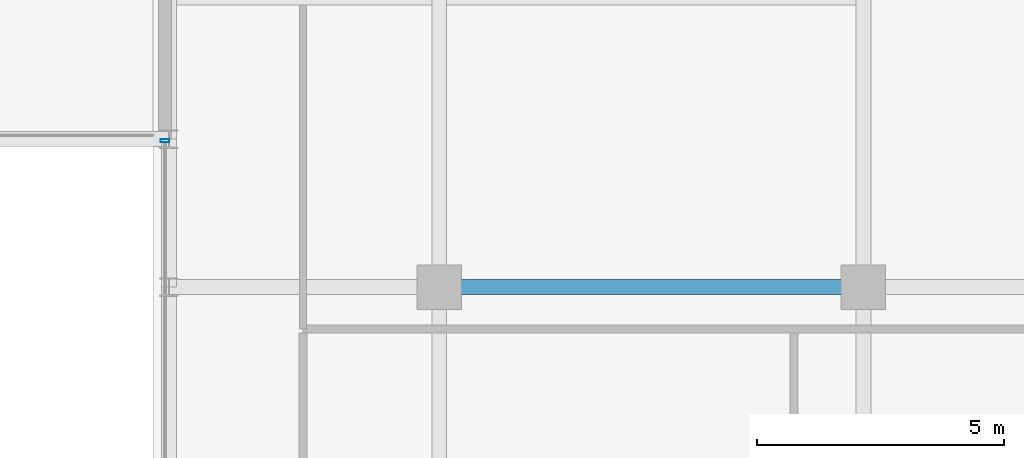
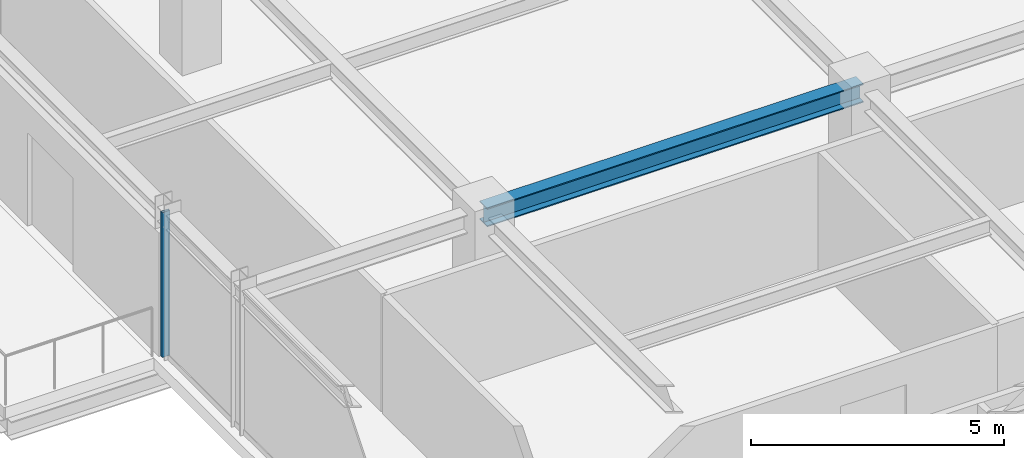
# One storey, part 10 of 36: 1 beam, 1 member, 1 element without a shape of its own.
"""IFC4 building model written with IfcOpenShell, lengths in metres."""

from ifc_helpers import new_model, si_unit, direction, frame, origin, origin_2d, place, context, subcontext, project, spatial, hollow_rectangle, i_section, extrude, source, transform, mapped, material, material_profile, profile_set, type_object, element, aggregate, save


model = new_model("IFC4")

# Units and contexts
model_context = context("Model", 3, precision=1e-05, world=origin(), true_north=direction((0.0, 1.0)))
body_context = subcontext(model_context, "Body", "Model", "MODEL_VIEW")
ifc_project = project(units=[si_unit("LENGTHUNIT", "METRE"), si_unit("AREAUNIT", "SQUARE_METRE"), si_unit("VOLUMEUNIT", "CUBIC_METRE"), si_unit("PLANEANGLEUNIT", "RADIAN"), si_unit("MASSUNIT", "GRAM", prefix="KILO")], contexts=[model_context])

# Site, building, storey
site_placement = place(None, origin())
site = spatial("IfcSite", under=ifc_project, at=site_placement, CompositionType="ELEMENT")
building_placement = place(site_placement, origin())
building = spatial("IfcBuilding", under=site, at=building_placement, Name="Nahalor Promenade Grand Hotel", CompositionType="ELEMENT")
storey_placement = place(building_placement, frame((0.0, 0.0, 319.550048828125)))
storey = spatial("IfcBuildingStorey", under=building, at=storey_placement, Name="L82", CompositionType="ELEMENT", Elevation=319.550048828125)

# Beam
ifc_material_1 = material(Name="Steel S355JR", Category="steel")
ifc_material_profile_1 = material_profile(ifc_material_1, i_section(OverallWidth=0.3, OverallDepth=0.45, WebThickness=0.014, FlangeThickness=0.026, at=origin_2d()), Name="HEB 450")
ifc_profile_set_1 = profile_set([ifc_material_profile_1], Name="Steel S355JR")
beam_type = type_object("IfcBeamType", Name="Beam-Girder-HEB450", PredefinedType="BEAM", material=ifc_profile_set_1)
shared_shape_1 = source(origin(), body_context, "Body", "SweptSolid", [
    extrude(i_section(OverallWidth=0.3, OverallDepth=0.45, WebThickness=0.014, FlangeThickness=0.026, at=origin_2d()), origin(), (0.0, 0.0, 1.0), 8.60009765625),
])
beam_placement = place(storey_placement, frame((-17.0, 5.39990234375, 3.27490234375), z_axis=(1.0, 0.0, 0.0), x_axis=(0.0, 1.0, 0.0)))
element("IfcBeam", 1, at=beam_placement, inside=storey, type_object=beam_type, Name="BM-L82-GX-2-1", PredefinedType="BEAM", context=body_context, shape_type="MappedRepresentation", body=[
    mapped(shared_shape_1, transform((0.0, 0.0, 0.0), scale=1.0)),
])

# Curtain wall, member
ifc_material_2 = material(Name="Anodised Bronze Aluminium EN AW-6063 T6", Category="aluminium")
curtain_wall_type = type_object("IfcCurtainWallType", Name="CW2 Typical Hotel Flush Bronze Unitised Curtain Wall", PredefinedType="USERDEFINED", material=ifc_material_2)
curtain_wall_placement = place(storey_placement, origin())
curtain_wall = element("IfcCurtainWall", 2, at=curtain_wall_placement, inside=storey, type_object=curtain_wall_type, Name="L82 Curtain Wall CW-L82-W-1", ObjectType="UNITISED_CURTAIN_WALL", PredefinedType="USERDEFINED")
ifc_material_profile_2 = material_profile(ifc_material_2, hollow_rectangle(XDim=0.065, YDim=0.18, WallThickness=0.004, at=origin_2d()), Name="CWM 65x180x4")
ifc_profile_set_2 = profile_set([ifc_material_profile_2], Name="Anodised Bronze Aluminium EN AW-6063 T6")
member_type = type_object("IfcMemberType", Name="CWM2 Typical Bronze Mullion 65x180", PredefinedType="MULLION", material=ifc_profile_set_2)
shared_shape_2 = source(origin(), body_context, "Body", "SweptSolid", [
    extrude(hollow_rectangle(XDim=0.065, YDim=0.18, WallThickness=0.004, at=origin_2d()), origin(), (0.0, 0.0, 1.0), 3.5),
])
member_placement = place(storey_placement, frame((-22.56005859375, 8.367431640625, 0.0), z_axis=(0.0, 0.0, 1.0), x_axis=(0.0, 1.0, 0.0)))
member = element("IfcMember", 3, at=member_placement, type_object=member_type, Name="CW-L82-W-1 Mullion 2", PredefinedType="MULLION", context=body_context, shape_type="MappedRepresentation", body=[
    mapped(shared_shape_2, transform((0.0, 0.0, 0.0), scale=1.0)),
])
aggregate(curtain_wall, [member])

save(model, "model.ifc")
